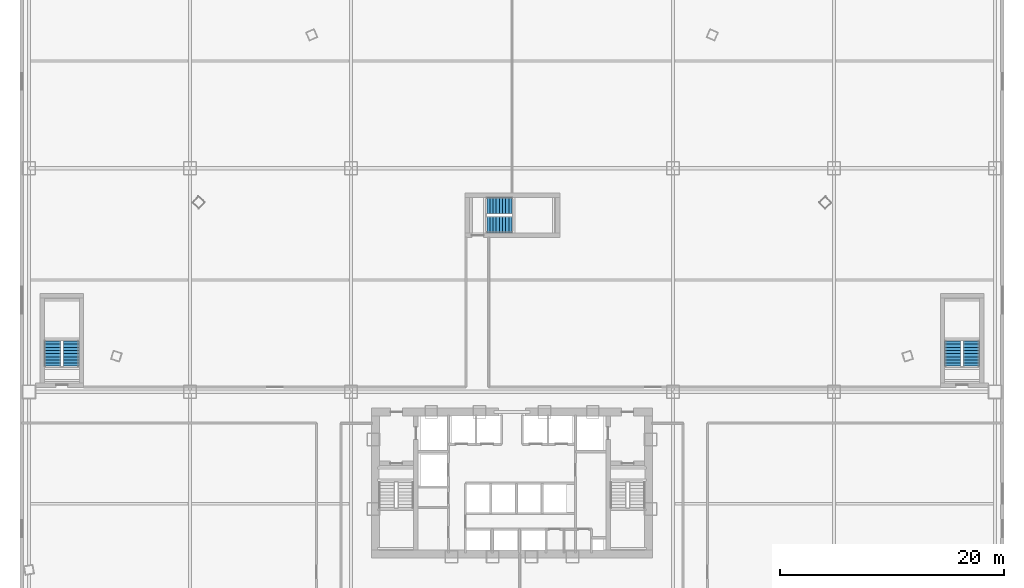
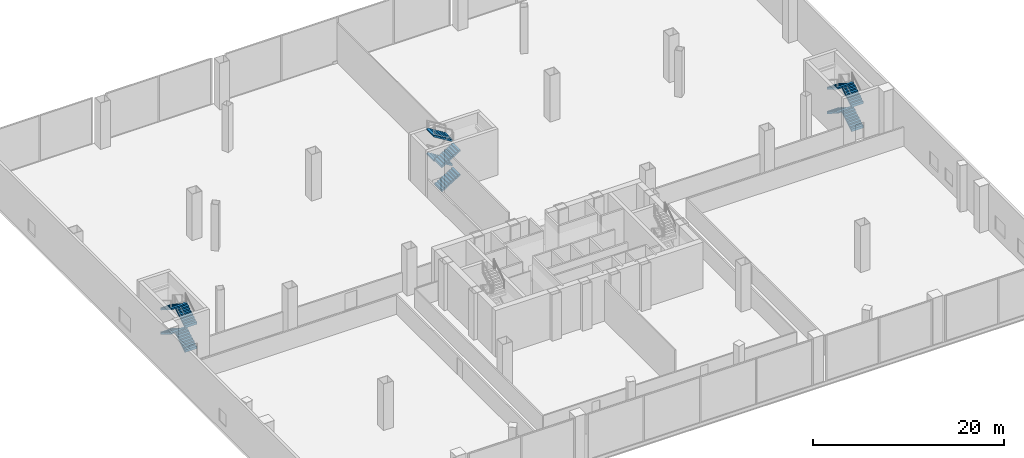
# One storey, part 37 of 41: 12 stair flights, 3 elements without a shape of their own.
"""IFC4 building model written with IfcOpenShell, lengths in metres."""

from ifc_helpers import new_model, si_unit, direction, frame, origin, place, context, subcontext, project, spatial, polyline, outline, extrude, source, transform, mapped, material, type_object, element, aggregate, save


model = new_model("IFC4")

# Units and contexts
model_context = context("Model", 3, precision=1e-05, world=origin(), true_north=direction((0.0, 1.0)))
body_context = subcontext(model_context, "Body", "Model", "MODEL_VIEW")
ifc_project = project(units=[si_unit("LENGTHUNIT", "METRE"), si_unit("AREAUNIT", "SQUARE_METRE"), si_unit("VOLUMEUNIT", "CUBIC_METRE"), si_unit("PLANEANGLEUNIT", "RADIAN"), si_unit("MASSUNIT", "GRAM", prefix="KILO"), si_unit("THERMODYNAMICTEMPERATUREUNIT", "KELVIN"), si_unit("POWERUNIT", "WATT")], contexts=[model_context])

# Site, building, storey
site_placement = place(None, origin())
site = spatial("IfcSite", under=ifc_project, at=site_placement, CompositionType="ELEMENT")
building_placement = place(site_placement, origin())
building = spatial("IfcBuilding", under=site, at=building_placement, Name="Yunzhuo Pagoda Commons", CompositionType="ELEMENT")
storey_placement = place(building_placement, frame((0.0, 0.0, 19.199951171875)))
storey = spatial("IfcBuildingStorey", under=building, at=storey_placement, Name="L05", CompositionType="ELEMENT", Elevation=19.199951171875)

# Stair, stair flights
ifc_material = material(Name="Concrete C40", Category="concrete")
stair_type_1 = type_object("IfcStairType", Name="ST-P3 Podium Exit Stair PS3", PredefinedType="HALF_TURN_STAIR", material=ifc_material)
stair_1_placement = place(storey_placement, origin())
stair_1 = element("IfcStair", 1, at=stair_1_placement, inside=storey, type_object=stair_type_1, Name="L05 Podium exit stair PS3", PredefinedType="HALF_TURN_STAIR")
stair_flight_type_1 = type_object("IfcStairFlightType", Name="STF-P3 Podium Stair Flight 1455", PredefinedType="STRAIGHT", material=ifc_material)
shared_shape_1 = source(origin(), body_context, "Body", "SweptSolid", [
    extrude(outline(polyline([(0.0, -0.14990234375), (0.0, 0.0), (0.0, 0.172119140625), (0.280029296875, 0.172119140625), (0.280029296875, 0.344482421875), (0.56005859375, 0.344482421875), (0.56005859375, 0.5166015625), (0.840087890625, 0.5166015625), (0.840087890625, 0.68896484375), (1.1201171875, 0.68896484375), (1.1201171875, 0.861083984375), (1.39990234375, 0.861083984375), (1.39990234375, 1.033447265625), (1.679931640625, 1.033447265625), (1.679931640625, 1.20556640625), (1.9599609375, 1.20556640625), (1.9599609375, 1.377685546875), (2.239990234375, 1.377685546875), (2.239990234375, 1.550048828125), (2.239990234375, 1.201904296875), (0.2861328125, 0.0), (0.050048828125, -0.14990234375), (0.0, -0.14990234375)])), frame((0.0, 0.72509765625, 0.0), z_axis=(0.0, -1.0, 0.0), x_axis=(1.0, 0.0, 0.0)), (0.0, 0.0, 1.0), 1.449951171875),
])
stair_flight_1_placement = place(storey_placement, frame((8.574951171875, 44.300048828125, 0.0), z_axis=(0.0, 0.0, 1.0), x_axis=(0.0, 1.0, 0.0)))
stair_flight_1 = element("IfcStairFlight", 2, at=stair_flight_1_placement, type_object=stair_flight_type_1, Name="PS3 flight 1", NumberOfRisers=9, NumberOfTreads=8, PredefinedType="STRAIGHT", RiserHeight=0.172222222, TreadLength=0.28, context=body_context, shape_type="MappedRepresentation", body=[
    mapped(shared_shape_1, transform((0.0, 0.0, 0.0), scale=1.0)),
])
stair_flight_2_placement = place(storey_placement, frame((6.925048828125, 46.5400390625, 1.550048828125), z_axis=(0.0, 0.0, 1.0), x_axis=(0.0, -1.0, 0.0)))
stair_flight_2 = element("IfcStairFlight", 3, at=stair_flight_2_placement, type_object=stair_flight_type_1, Name="PS3 flight 2", NumberOfRisers=9, NumberOfTreads=8, PredefinedType="STRAIGHT", RiserHeight=0.172222222, TreadLength=0.28, context=body_context, shape_type="MappedRepresentation", body=[
    mapped(shared_shape_1, transform((0.0, 0.0, 0.0), scale=1.0)),
])
stair_flight_3_placement = place(storey_placement, frame((8.574951171875, 44.300048828125, 3.10009765625), z_axis=(0.0, 0.0, 1.0), x_axis=(0.0, 1.0, 0.0)))
stair_flight_3 = element("IfcStairFlight", 4, at=stair_flight_3_placement, type_object=stair_flight_type_1, Name="PS3 flight 3", NumberOfRisers=9, NumberOfTreads=8, PredefinedType="STRAIGHT", RiserHeight=0.172222222, TreadLength=0.28, context=body_context, shape_type="MappedRepresentation", body=[
    mapped(shared_shape_1, transform((0.0, 0.0, 0.0), scale=1.0)),
])
stair_flight_4_placement = place(storey_placement, frame((6.925048828125, 46.5400390625, 4.650146484375), z_axis=(0.0, 0.0, 1.0), x_axis=(0.0, -1.0, 0.0)))
stair_flight_4 = element("IfcStairFlight", 5, at=stair_flight_4_placement, type_object=stair_flight_type_1, Name="PS3 flight 4", NumberOfRisers=9, NumberOfTreads=8, PredefinedType="STRAIGHT", RiserHeight=0.172222222, TreadLength=0.28, context=body_context, shape_type="MappedRepresentation", body=[
    mapped(shared_shape_1, transform((0.0, 0.0, 0.0), scale=1.0)),
])
aggregate(stair_1, [stair_flight_1, stair_flight_2, stair_flight_3, stair_flight_4])

stair_type_2 = type_object("IfcStairType", Name="ST-P4 Podium Exit Stair PS4", PredefinedType="HALF_TURN_STAIR", material=ifc_material)
stair_2_placement = place(storey_placement, origin())
stair_2 = element("IfcStair", 6, at=stair_2_placement, inside=storey, type_object=stair_type_2, Name="L05 Podium exit stair PS4", PredefinedType="HALF_TURN_STAIR")
stair_flight_type_2 = type_object("IfcStairFlightType", Name="STF-P4 Podium Stair Flight 1465", PredefinedType="STRAIGHT", material=ifc_material)
stair_flight_5_placement = place(storey_placement, frame((89.074951171875, 44.300048828125, 0.0), z_axis=(0.0, 0.0, 1.0), x_axis=(0.0, 1.0, 0.0)))
stair_flight_5 = element("IfcStairFlight", 7, at=stair_flight_5_placement, type_object=stair_flight_type_2, Name="PS4 flight 1", NumberOfRisers=9, NumberOfTreads=8, PredefinedType="STRAIGHT", RiserHeight=0.172222222, TreadLength=0.28, context=body_context, shape_type="MappedRepresentation", body=[
    mapped(shared_shape_1, transform((0.0, 0.0, 0.0), scale=1.0)),
])
stair_flight_6_placement = place(storey_placement, frame((87.425048828125, 46.5400390625, 1.550048828125), z_axis=(0.0, 0.0, 1.0), x_axis=(0.0, -1.0, 0.0)))
stair_flight_6 = element("IfcStairFlight", 8, at=stair_flight_6_placement, type_object=stair_flight_type_2, Name="PS4 flight 2", NumberOfRisers=9, NumberOfTreads=8, PredefinedType="STRAIGHT", RiserHeight=0.172222222, TreadLength=0.28, context=body_context, shape_type="MappedRepresentation", body=[
    mapped(shared_shape_1, transform((0.0, 0.0, 0.0), scale=1.0)),
])
stair_flight_7_placement = place(storey_placement, frame((89.074951171875, 44.300048828125, 3.10009765625), z_axis=(0.0, 0.0, 1.0), x_axis=(0.0, 1.0, 0.0)))
stair_flight_7 = element("IfcStairFlight", 9, at=stair_flight_7_placement, type_object=stair_flight_type_2, Name="PS4 flight 3", NumberOfRisers=9, NumberOfTreads=8, PredefinedType="STRAIGHT", RiserHeight=0.172222222, TreadLength=0.28, context=body_context, shape_type="MappedRepresentation", body=[
    mapped(shared_shape_1, transform((0.0, 0.0, 0.0), scale=1.0)),
])
stair_flight_8_placement = place(storey_placement, frame((87.425048828125, 46.5400390625, 4.650146484375), z_axis=(0.0, 0.0, 1.0), x_axis=(0.0, -1.0, 0.0)))
stair_flight_8 = element("IfcStairFlight", 10, at=stair_flight_8_placement, type_object=stair_flight_type_2, Name="PS4 flight 4", NumberOfRisers=9, NumberOfTreads=8, PredefinedType="STRAIGHT", RiserHeight=0.172222222, TreadLength=0.28, context=body_context, shape_type="MappedRepresentation", body=[
    mapped(shared_shape_1, transform((0.0, 0.0, 0.0), scale=1.0)),
])
aggregate(stair_2, [stair_flight_5, stair_flight_6, stair_flight_7, stair_flight_8])

stair_type_3 = type_object("IfcStairType", Name="ST-C3 North Tower Smokeproof Stair ST3", PredefinedType="HALF_TURN_STAIR", material=ifc_material)
stair_3_placement = place(storey_placement, origin())
stair_3 = element("IfcStair", 11, at=stair_3_placement, inside=storey, type_object=stair_type_3, Name="L05 North tower smokeproof stair ST3", PredefinedType="HALF_TURN_STAIR")
stair_flight_type_3 = type_object("IfcStairFlightType", Name="STF-C3 North Stair Flight 1500", PredefinedType="STRAIGHT", material=ifc_material)
shared_shape_2 = source(origin(), body_context, "Body", "SweptSolid", [
    extrude(outline(polyline([(0.0, -0.14990234375), (0.0, 0.0), (0.0, 0.172119140625), (0.280029296875, 0.172119140625), (0.280029296875, 0.344482421875), (0.56005859375, 0.344482421875), (0.56005859375, 0.5166015625), (0.840087890625, 0.5166015625), (0.840087890625, 0.68896484375), (1.1201171875, 0.68896484375), (1.1201171875, 0.861083984375), (1.39990234375, 0.861083984375), (1.39990234375, 1.033447265625), (1.679931640625, 1.033447265625), (1.679931640625, 1.20556640625), (1.9599609375, 1.20556640625), (1.9599609375, 1.377685546875), (2.239990234375, 1.377685546875), (2.239990234375, 1.550048828125), (2.239990234375, 1.201904296875), (0.2861328125, 0.0), (0.050048828125, -0.14990234375), (0.0, -0.14990234375)])), frame((0.0, 0.75, 0.0), z_axis=(0.0, -1.0, 0.0), x_axis=(1.0, 0.0, 0.0)), (0.0, 0.0, 1.0), 1.5),
])
stair_flight_9_placement = place(storey_placement, frame((45.75, 56.949951171875, 0.0), z_axis=(0.0, 0.0, 1.0), x_axis=(1.0, 0.0, 0.0)))
stair_flight_9 = element("IfcStairFlight", 12, at=stair_flight_9_placement, type_object=stair_flight_type_3, Name="ST3 flight 1", NumberOfRisers=9, NumberOfTreads=8, PredefinedType="STRAIGHT", RiserHeight=0.172222222, TreadLength=0.28, context=body_context, shape_type="MappedRepresentation", body=[
    mapped(shared_shape_2, transform((0.0, 0.0, 0.0), scale=1.0)),
])
stair_flight_10_placement = place(storey_placement, frame((47.989990234375, 58.64990234375, 1.550048828125), z_axis=(0.0, 0.0, 1.0), x_axis=(-1.0, 0.0, 0.0)))
stair_flight_10 = element("IfcStairFlight", 13, at=stair_flight_10_placement, type_object=stair_flight_type_3, Name="ST3 flight 2", NumberOfRisers=9, NumberOfTreads=8, PredefinedType="STRAIGHT", RiserHeight=0.172222222, TreadLength=0.28, context=body_context, shape_type="MappedRepresentation", body=[
    mapped(shared_shape_2, transform((0.0, 0.0, 0.0), scale=1.0)),
])
stair_flight_11_placement = place(storey_placement, frame((45.75, 56.949951171875, 3.10009765625), z_axis=(0.0, 0.0, 1.0), x_axis=(1.0, 0.0, 0.0)))
stair_flight_11 = element("IfcStairFlight", 14, at=stair_flight_11_placement, type_object=stair_flight_type_3, Name="ST3 flight 3", NumberOfRisers=9, NumberOfTreads=8, PredefinedType="STRAIGHT", RiserHeight=0.172222222, TreadLength=0.28, context=body_context, shape_type="MappedRepresentation", body=[
    mapped(shared_shape_2, transform((0.0, 0.0, 0.0), scale=1.0)),
])
stair_flight_12_placement = place(storey_placement, frame((47.989990234375, 58.64990234375, 4.650146484375), z_axis=(0.0, 0.0, 1.0), x_axis=(-1.0, 0.0, 0.0)))
stair_flight_12 = element("IfcStairFlight", 15, at=stair_flight_12_placement, type_object=stair_flight_type_3, Name="ST3 flight 4", NumberOfRisers=9, NumberOfTreads=8, PredefinedType="STRAIGHT", RiserHeight=0.172222222, TreadLength=0.28, context=body_context, shape_type="MappedRepresentation", body=[
    mapped(shared_shape_2, transform((0.0, 0.0, 0.0), scale=1.0)),
])
aggregate(stair_3, [stair_flight_9, stair_flight_10, stair_flight_11, stair_flight_12])

save(model, "model.ifc")
